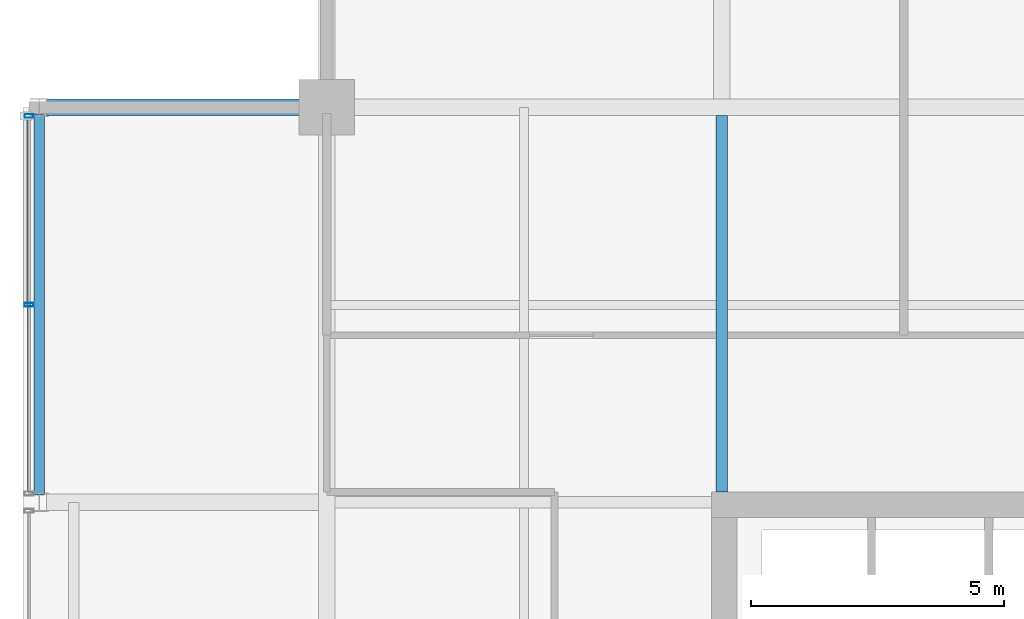
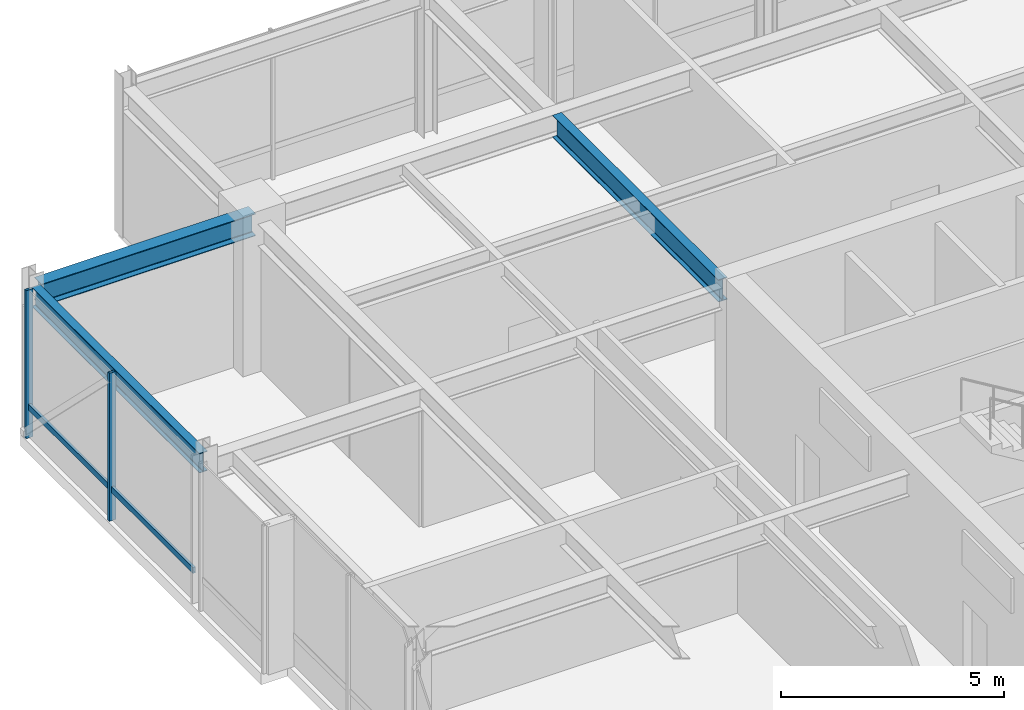
# One storey, part 21 of 33: 3 beams, 3 members, 1 element without a shape of its own.
"""IFC4 building model written with IfcOpenShell, lengths in metres."""

from ifc_helpers import new_model, si_unit, direction, frame, origin, origin_2d, place, context, subcontext, project, spatial, hollow_rectangle, i_section, extrude, material, layer, layer_set, material_profile, profile_set, type_object, element, aggregate, save


model = new_model("IFC4")

# Units and contexts
model_context = context("Model", 3, precision=1e-05, world=origin(), true_north=direction((0.0, 1.0)))
body_context = subcontext(model_context, "Body", "Model", "MODEL_VIEW")
ifc_project = project(units=[si_unit("LENGTHUNIT", "METRE"), si_unit("AREAUNIT", "SQUARE_METRE"), si_unit("VOLUMEUNIT", "CUBIC_METRE"), si_unit("PLANEANGLEUNIT", "RADIAN"), si_unit("MASSUNIT", "GRAM", prefix="KILO")], contexts=[model_context])

# Site, building, storey
site_placement = place(None, origin())
site = spatial("IfcSite", under=ifc_project, at=site_placement, CompositionType="ELEMENT")
building_placement = place(site_placement, origin())
building = spatial("IfcBuilding", under=site, at=building_placement, Name="Drelvath Grand Hotel", CompositionType="ELEMENT")
storey_placement = place(building_placement, frame((0.0, 0.0, 298.60009765625)))
storey = spatial("IfcBuildingStorey", under=building, at=storey_placement, Name="L78", CompositionType="ELEMENT", Elevation=298.60009765625)

# Curtain wall, members
ifc_material_1 = material(Name="Platinum-Mist Anodised Aluminium Frame", Category="aluminium")
ifc_layer = layer(ifc_material_1, 0.199951171875)
ifc_layer_set = layer_set([ifc_layer], Name="Platinum-Mist Anodised Aluminium Frame")
curtain_wall_type = type_object("IfcCurtainWallType", Name="Stick Curtain Wall CW-05 Platinum Mist High-Rise", PredefinedType="NOTDEFINED", material=ifc_layer_set)
curtain_wall_placement = place(storey_placement, origin())
curtain_wall = element("IfcCurtainWall", 1, at=curtain_wall_placement, inside=storey, type_object=curtain_wall_type, Name="L78 CW-05 Curtain Wall CW05-L78-WN2", PredefinedType="NOTDEFINED")
ifc_material_profile_1 = material_profile(ifc_material_1, hollow_rectangle(XDim=0.06494140625, YDim=0.159912109375, WallThickness=0.00390625, at=origin_2d()), Name="HSS160X65X4")
ifc_profile_set_1 = profile_set([ifc_material_profile_1], Name="Platinum-Mist Anodised Aluminium Frame")
member_type_1 = type_object("IfcMemberType", Name="Curtain Wall Horizontal Transom CW-05 HSS160X65X4", PredefinedType="USERDEFINED", material=ifc_profile_set_1)
member_1_placement = place(storey_placement, frame((-22.080078125, 35.610107421875, 0.849853515625), z_axis=(0.0, 1.0, 0.0), x_axis=(-1.0, 0.0, 0.0)))
member_1 = element("IfcMember", 2, at=member_1_placement, type_object=member_type_1, Name="CW05-L78-WN2 Sill Transom", ObjectType="TRANSOM", PredefinedType="USERDEFINED", context=body_context, shape_type="SweptSolid", body=[
    extrude(hollow_rectangle(XDim=0.06494140625, YDim=0.159912109375, WallThickness=0.00390625, at=origin_2d()), origin(), (0.0, 0.0, 1.0), 7.3798828125),
])
ifc_material_profile_2 = material_profile(ifc_material_1, hollow_rectangle(XDim=0.074951171875, YDim=0.179931640625, WallThickness=0.0048828125, at=origin_2d()), Name="HSS180X75X5")
ifc_profile_set_2 = profile_set([ifc_material_profile_2], Name="Platinum-Mist Anodised Aluminium Frame")
member_type_2 = type_object("IfcMemberType", Name="Curtain Wall Vertical Mullion CW-05 HSS180X75X5", PredefinedType="MULLION", material=ifc_profile_set_2)
member_2_placement = place(storey_placement, frame((-22.080078125, 39.300048828125, 0.0), z_axis=(0.0, 0.0, 1.0), x_axis=(0.0, 1.0, 0.0)))
member_2 = element("IfcMember", 3, at=member_2_placement, type_object=member_type_2, Name="CW05-L78-WN2 Mullion 2", PredefinedType="MULLION", context=body_context, shape_type="SweptSolid", body=[
    extrude(hollow_rectangle(XDim=0.074951171875, YDim=0.179931640625, WallThickness=0.0048828125, at=origin_2d()), origin(), (0.0, 0.0, 1.0), 4.0498046875),
])
member_3_placement = place(storey_placement, frame((-22.080078125, 43.030029296875, 0.0), z_axis=(0.0, 0.0, 1.0), x_axis=(0.0, 1.0, 0.0)))
member_3 = element("IfcMember", 4, at=member_3_placement, type_object=member_type_2, Name="CW05-L78-WN2 Mullion 3", PredefinedType="MULLION", context=body_context, shape_type="SweptSolid", body=[
    extrude(hollow_rectangle(XDim=0.074951171875, YDim=0.179931640625, WallThickness=0.0048828125, at=origin_2d()), origin(), (0.0, 0.0, 1.0), 4.0498046875),
])
aggregate(curtain_wall, [member_2, member_3, member_1])

# Beams
ifc_material_2 = material(Name="Steel ASTM A992 Gr 50", Category="steel")
ifc_material_profile_3 = material_profile(ifc_material_2, i_section(OverallWidth=0.210205078125, OverallDepth=0.53662109375, WebThickness=0.010986328125, FlangeThickness=0.017333984375, FilletRadius=0.01806640625, at=origin_2d()), Name="W21X68")
ifc_profile_set_3 = profile_set([ifc_material_profile_3], Name="Steel ASTM A992 Gr 50")
beam_type_1 = type_object("IfcBeamType", Name="Perimeter Spandrel Beam W21X68", PredefinedType="SPANDREL", material=ifc_profile_set_3)
beam_1_placement = place(storey_placement, frame((-21.8798828125, 35.5400390625, 3.781494140625), z_axis=(0.0, 1.0, 0.0), x_axis=(-1.0, 0.0, 0.0)))
element("IfcBeam", 5, at=beam_1_placement, inside=storey, type_object=beam_type_1, Name="L78 Spandrel West N", PredefinedType="SPANDREL", context=body_context, shape_type="SweptSolid", body=[
    extrude(i_section(OverallWidth=0.210205078125, OverallDepth=0.53662109375, WebThickness=0.010986328125, FlangeThickness=0.017333984375, FilletRadius=0.01806640625, at=origin_2d()), origin(), (0.0, 0.0, 1.0), 7.52001953125),
])
ifc_material_profile_4 = material_profile(ifc_material_2, i_section(OverallWidth=0.323974609375, OverallDepth=0.611083984375, WebThickness=0.0126953125, FlangeThickness=0.01904296875, FilletRadius=0.02197265625, at=origin_2d()), Name="W24X104")
ifc_profile_set_4 = profile_set([ifc_material_profile_4], Name="Steel ASTM A992 Gr 50")
beam_type_2 = type_object("IfcBeamType", Name="Primary Floor Girder W24X104", PredefinedType="BEAM", material=ifc_profile_set_4)
beam_2_placement = place(storey_placement, frame((-21.739990234375, 43.199951171875, 3.744384765625), z_axis=(1.0, 0.0, 0.0), x_axis=(0.0, 1.0, 0.0)))
element("IfcBeam", 6, at=beam_2_placement, inside=storey, type_object=beam_type_2, Name="L78 West Grid Girder G", PredefinedType="BEAM", context=body_context, shape_type="SweptSolid", body=[
    extrude(i_section(OverallWidth=0.323974609375, OverallDepth=0.611083984375, WebThickness=0.0126953125, FlangeThickness=0.01904296875, FilletRadius=0.02197265625, at=origin_2d()), origin(), (0.0, 0.0, 1.0), 5.5400390625),
])
ifc_material_profile_5 = material_profile(ifc_material_2, i_section(OverallWidth=0.228271484375, OverallDepth=0.607666015625, WebThickness=0.01123046875, FlangeThickness=0.017333984375, FilletRadius=0.02001953125, at=origin_2d()), Name="W24X76")
ifc_profile_set_5 = profile_set([ifc_material_profile_5], Name="Steel ASTM A992 Gr 50")
beam_type_3 = type_object("IfcBeamType", Name="Primary Floor Girder W24X76", PredefinedType="BEAM", material=ifc_profile_set_5)
beam_3_placement = place(storey_placement, frame((-8.39990234375, 35.60009765625, 3.74609375), z_axis=(0.0, 1.0, 0.0), x_axis=(-1.0, 0.0, 0.0)))
element("IfcBeam", 7, at=beam_3_placement, inside=storey, type_object=beam_type_3, Name="L78 North Core Tie 4", PredefinedType="BEAM", context=body_context, shape_type="SweptSolid", body=[
    extrude(i_section(OverallWidth=0.228271484375, OverallDepth=0.607666015625, WebThickness=0.01123046875, FlangeThickness=0.017333984375, FilletRadius=0.02001953125, at=origin_2d()), origin(), (0.0, 0.0, 1.0), 7.43798828125),
])

save(model, "model.ifc")
